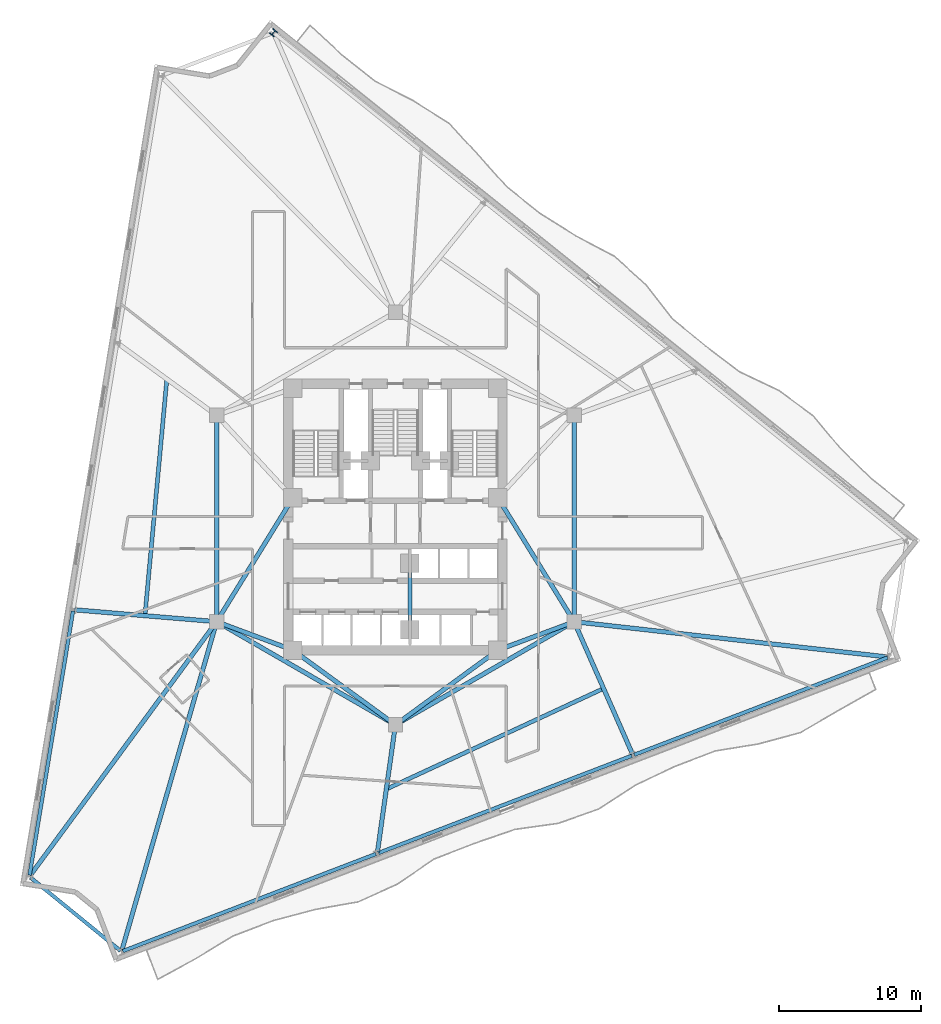
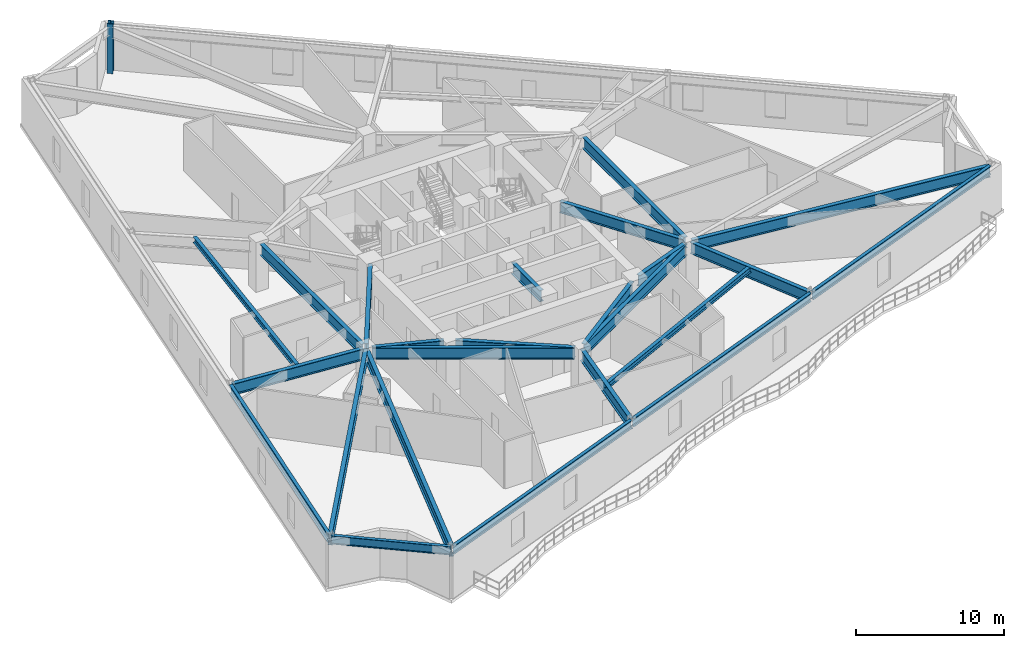
# One storey, part 2 of 10: 24 beams, 1 column.
"""IFC4 building model written with IfcOpenShell, lengths in metres."""

from ifc_helpers import new_model, si_unit, direction, frame, origin, origin_2d, place, context, subcontext, project, spatial, i_section, extrude, material, material_profile, profile_set, type_object, element, save


model = new_model("IFC4")

# Units and contexts
model_context = context("Model", 3, precision=1e-05, world=origin(), true_north=direction((0.0, 1.0)))
body_context = subcontext(model_context, "Body", "Model", "MODEL_VIEW")
ifc_project = project(units=[si_unit("LENGTHUNIT", "METRE"), si_unit("AREAUNIT", "SQUARE_METRE"), si_unit("VOLUMEUNIT", "CUBIC_METRE"), si_unit("PLANEANGLEUNIT", "RADIAN"), si_unit("MASSUNIT", "GRAM", prefix="KILO")], contexts=[model_context])

# Site, building, storey
site_placement = place(None, origin())
site = spatial("IfcSite", under=ifc_project, at=site_placement, CompositionType="ELEMENT")
building_placement = place(site_placement, origin())
building = spatial("IfcBuilding", under=site, at=building_placement, Name="Apsidion Concourse Tower", CompositionType="ELEMENT")
storey_placement = place(building_placement, frame((0.0, 0.0, 136.300048828125)))
storey = spatial("IfcBuildingStorey", under=building, at=storey_placement, Name="L31", CompositionType="ELEMENT", Elevation=136.300048828125)

# Column
ifc_material = material(Name="Structural steel ASTM A992 Grade 50", Category="steel")
ifc_material_profile_1 = material_profile(ifc_material, i_section(OverallWidth=0.410888671875, OverallDepth=0.43408203125, WebThickness=0.035888671875, FlangeThickness=0.057373046875, at=origin_2d()), Name="W14X311")
ifc_profile_set_1 = profile_set([ifc_material_profile_1], Name="Structural steel ASTM A992 Grade 50")
column_type = type_object("IfcColumnType", Name="COL-W14-311", PredefinedType="COLUMN", material=ifc_profile_set_1)
column_placement = place(storey_placement, frame((-8.565185546875, 34.1376953125, 0.0), z_axis=(0.0, 0.0, 1.0), x_axis=(-0.780757676633, 0.624833938242, 0.0)))
element("IfcColumn", 1, at=column_placement, inside=storey, type_object=column_type, Name="L31 Rotated Perimeter Column PC12", PredefinedType="COLUMN", context=body_context, shape_type="SweptSolid", body=[
    extrude(i_section(OverallWidth=0.410888671875, OverallDepth=0.43408203125, WebThickness=0.035888671875, FlangeThickness=0.057373046875, at=origin_2d()), origin(), (0.0, 0.0, 1.0), 4.099853515625),
])

# Beams
ifc_material_profile_2 = material_profile(ifc_material, i_section(OverallWidth=0.280029296875, OverallDepth=0.462890625, WebThickness=0.0107421875, FlangeThickness=0.017333984375, at=origin_2d()), Name="W18X76")
ifc_profile_set_2 = profile_set([ifc_material_profile_2], Name="Structural steel ASTM A992 Grade 50")
beam_type_1 = type_object("IfcBeamType", Name="BM-FL-W18M", PredefinedType="BEAM", material=ifc_profile_set_2)
beam_1_placement = place(storey_placement, frame((-16.05908203125, 9.798095703125, 3.618408203125), z_axis=(-0.092270423312, -0.995733985049, 0.0), x_axis=(0.995733985049, -0.092270423312, 0.0)))
element("IfcBeam", 2, at=beam_1_placement, inside=storey, type_object=beam_type_1, Name="L31 Secondary Floor Beam SEC-F1", PredefinedType="BEAM", context=body_context, shape_type="SweptSolid", body=[
    extrude(i_section(OverallWidth=0.280029296875, OverallDepth=0.462890625, WebThickness=0.0107421875, FlangeThickness=0.017333984375, at=origin_2d()), origin(), (0.0, 0.0, 1.0), 16.698486328125),
])
beam_2_placement = place(storey_placement, frame((-0.6376953125, -19.018310546875, 3.618408203125), z_axis=(0.907312361657, 0.420457225392, 0.0), x_axis=(-0.420457225392, 0.907312361657, 0.0)))
element("IfcBeam", 3, at=beam_2_placement, inside=storey, type_object=beam_type_1, Name="L31 Secondary Floor Beam SEC-F2", PredefinedType="BEAM", context=body_context, shape_type="SweptSolid", body=[
    extrude(i_section(OverallWidth=0.280029296875, OverallDepth=0.462890625, WebThickness=0.0107421875, FlangeThickness=0.017333984375, at=origin_2d()), origin(), (0.0, 0.0, 1.0), 16.82568359375),
])
ifc_material_profile_3 = material_profile(ifc_material, i_section(OverallWidth=0.31005859375, OverallDepth=0.931884765625, WebThickness=0.02099609375, FlangeThickness=0.034423828125, at=origin_2d()), Name="W36X210")
ifc_profile_set_3 = profile_set([ifc_material_profile_3], Name="Structural steel ASTM A992 Grade 50")
beam_type_2 = type_object("IfcBeamType", Name="BM-G-W36", PredefinedType="USERDEFINED", material=ifc_profile_set_3)
beam_3_placement = place(storey_placement, frame((-12.185302734375, -7.389892578125, 3.384033203125), z_axis=(0.936913021145, -0.349562570664, 0.0), x_axis=(0.349562570664, 0.936913021145, 0.0)))
element("IfcBeam", 4, at=beam_3_placement, inside=storey, type_object=beam_type_2, Name="L31 Core Coupling Girder IC1-SC1", ObjectType="GIRDER", PredefinedType="USERDEFINED", context=body_context, shape_type="SweptSolid", body=[
    extrude(i_section(OverallWidth=0.31005859375, OverallDepth=0.931884765625, WebThickness=0.02099609375, FlangeThickness=0.034423828125, at=origin_2d()), origin(), (0.0, 0.0, 1.0), 4.921142578125),
])
beam_4_placement = place(storey_placement, frame((-12.35009765625, -6.909423828125, 3.384033203125), z_axis=(0.524524009763, 0.851395656074, 0.0), x_axis=(-0.851395656074, 0.524524009763, 0.0)))
element("IfcBeam", 5, at=beam_4_placement, inside=storey, type_object=beam_type_2, Name="L31 Core Coupling Girder IC1-SC6", ObjectType="GIRDER", PredefinedType="USERDEFINED", context=body_context, shape_type="SweptSolid", body=[
    extrude(i_section(OverallWidth=0.31005859375, OverallDepth=0.931884765625, WebThickness=0.02099609375, FlangeThickness=0.034423828125, at=origin_2d()), origin(), (0.0, 0.0, 1.0), 9.41845703125),
])
beam_5_placement = place(storey_placement, frame((12.185302734375, -7.389892578125, 3.384033203125), z_axis=(-0.936913021145, -0.349562570664, 0.0), x_axis=(0.349562570664, -0.936913021145, 0.0)))
element("IfcBeam", 6, at=beam_5_placement, inside=storey, type_object=beam_type_2, Name="L31 Core Coupling Girder IC2-SC2", ObjectType="GIRDER", PredefinedType="USERDEFINED", context=body_context, shape_type="SweptSolid", body=[
    extrude(i_section(OverallWidth=0.31005859375, OverallDepth=0.931884765625, WebThickness=0.02099609375, FlangeThickness=0.034423828125, at=origin_2d()), origin(), (0.0, 0.0, 1.0), 4.921142578125),
])
beam_6_placement = place(storey_placement, frame((12.35009765625, -6.909423828125, 3.384033203125), z_axis=(-0.524524009763, 0.851395656074, 0.0), x_axis=(-0.851395656074, -0.524524009763, 0.0)))
element("IfcBeam", 7, at=beam_6_placement, inside=storey, type_object=beam_type_2, Name="L31 Core Coupling Girder IC2-SC3", ObjectType="GIRDER", PredefinedType="USERDEFINED", context=body_context, shape_type="SweptSolid", body=[
    extrude(i_section(OverallWidth=0.31005859375, OverallDepth=0.931884765625, WebThickness=0.02099609375, FlangeThickness=0.034423828125, at=origin_2d()), origin(), (0.0, 0.0, 1.0), 9.41845703125),
])
for number, where, z_axis, x_axis, name in (
    (8, (-0.3232421875, -14.264404296875, 3.384033203125), (-0.807993498909, 0.589191399905, 0.0), (-0.589191399905, -0.807993498909, 0.0), "L31 Core Coupling Girder IC6-SC1"),
    (9, (0.3232421875, -14.264404296875, 3.384033203125), (0.807993498909, 0.589191399905, 0.0), (-0.589191399905, 0.807993498909, 0.0), "L31 Core Coupling Girder IC6-SC2"),
):
    element("IfcBeam", number, at=place(storey_placement, frame(where, z_axis=z_axis, x_axis=x_axis)), inside=storey, type_object=beam_type_2, Name=name, ObjectType="GIRDER", PredefinedType="USERDEFINED", context=body_context, shape_type="SweptSolid", body=[
        extrude(i_section(OverallWidth=0.31005859375, OverallDepth=0.931884765625, WebThickness=0.02099609375, FlangeThickness=0.034423828125, at=origin_2d()), origin(), (0.0, 0.0, 1.0), 8.11083984375),
    ])
for number, where, z_axis, x_axis, name in (
    (10, (-12.56005859375, -6.85009765625, 3.384033203125), (0.0, 1.0, 0.0), (-1.0, 0.0, 0.0), "L31 Core Coupling Girder IC1-IC5"),
    (11, (12.56005859375, 6.85009765625, 3.384033203125), (0.0, -1.0, 0.0), (1.0, 0.0, 0.0), "L31 Core Coupling Girder IC3-IC2"),
):
    element("IfcBeam", number, at=place(storey_placement, frame(where, z_axis=z_axis, x_axis=x_axis)), inside=storey, type_object=beam_type_2, Name=name, ObjectType="GIRDER", PredefinedType="USERDEFINED", context=body_context, shape_type="SweptSolid", body=[
        extrude(i_section(OverallWidth=0.31005859375, OverallDepth=0.931884765625, WebThickness=0.02099609375, FlangeThickness=0.034423828125, at=origin_2d()), origin(), (0.0, 0.0, 1.0), 13.7001953125),
    ])
for number, where, z_axis, x_axis, name in (
    (12, (12.213623046875, -7.449951171875, 3.384033203125), (-0.866070471464, -0.499921932364, 0.0), (0.499921932364, -0.866070471464, 0.0), "L31 Core Coupling Girder IC2-IC6"),
    (13, (-0.346435546875, -14.300048828125, 3.384033203125), (-0.866070471464, 0.499921932364, 0.0), (-0.499921932364, -0.866070471464, 0.0), "L31 Core Coupling Girder IC6-IC1"),
):
    element("IfcBeam", number, at=place(storey_placement, frame(where, z_axis=z_axis, x_axis=x_axis)), inside=storey, type_object=beam_type_2, Name=name, ObjectType="GIRDER", PredefinedType="USERDEFINED", context=body_context, shape_type="SweptSolid", body=[
        extrude(i_section(OverallWidth=0.31005859375, OverallDepth=0.931884765625, WebThickness=0.02099609375, FlangeThickness=0.034423828125, at=origin_2d()), origin(), (0.0, 0.0, 1.0), 13.702392578125),
    ])
beam_7_placement = place(storey_placement, frame((1.02490234375, -3.550048828125, 3.384033203125), z_axis=(0.0, -1.0, 0.0), x_axis=(1.0, 0.0, 0.0)))
element("IfcBeam", 14, at=beam_7_placement, inside=storey, type_object=beam_type_2, Name="L31 Core Coupling Girder CC5-CC6", ObjectType="GIRDER", PredefinedType="USERDEFINED", context=body_context, shape_type="SweptSolid", body=[
    extrude(i_section(OverallWidth=0.31005859375, OverallDepth=0.931884765625, WebThickness=0.02099609375, FlangeThickness=0.034423828125, at=origin_2d()), origin(), (0.0, 0.0, 1.0), 3.849853515625),
])
beam_8_placement = place(storey_placement, frame((-12.779296875, -7.231689453125, 3.384033203125), z_axis=(-0.996528374011, 0.083253827489, 0.0), x_axis=(-0.083253827489, -0.996528374011, 0.0)))
element("IfcBeam", 15, at=beam_8_placement, inside=storey, type_object=beam_type_2, Name="L31 Radial Floor Girder RAD-03", ObjectType="GIRDER", PredefinedType="USERDEFINED", context=body_context, shape_type="SweptSolid", body=[
    extrude(i_section(OverallWidth=0.31005859375, OverallDepth=0.931884765625, WebThickness=0.02099609375, FlangeThickness=0.034423828125, at=origin_2d()), origin(), (0.0, 0.0, 1.0), 9.79443359375),
])
beam_9_placement = place(storey_placement, frame((-12.690185546875, -7.42724609375, 3.384033203125), z_axis=(-0.592104054542, -0.80586151949, 0.0), x_axis=(0.80586151949, -0.592104054542, 0.0)))
element("IfcBeam", 16, at=beam_9_placement, inside=storey, type_object=beam_type_2, Name="L31 Radial Floor Girder RAD-04", ObjectType="GIRDER", PredefinedType="USERDEFINED", context=body_context, shape_type="SweptSolid", body=[
    extrude(i_section(OverallWidth=0.31005859375, OverallDepth=0.931884765625, WebThickness=0.02099609375, FlangeThickness=0.034423828125, at=origin_2d()), origin(), (0.0, 0.0, 1.0), 21.907470703125),
])
beam_10_placement = place(storey_placement, frame((-12.62109375, -7.46142578125, 3.384033203125), z_axis=(-0.277124061606, -0.960834145146, 0.0), x_axis=(0.960834145146, -0.277124061606, 0.0)))
element("IfcBeam", 17, at=beam_10_placement, inside=storey, type_object=beam_type_2, Name="L31 Radial Floor Girder RAD-05", ObjectType="GIRDER", PredefinedType="USERDEFINED", context=body_context, shape_type="SweptSolid", body=[
    extrude(i_section(OverallWidth=0.31005859375, OverallDepth=0.931884765625, WebThickness=0.02099609375, FlangeThickness=0.034423828125, at=origin_2d()), origin(), (0.0, 0.0, 1.0), 23.810302734375),
])
beam_11_placement = place(storey_placement, frame((-0.03076171875, -14.7177734375, 3.384033203125), z_axis=(-0.139728877642, -0.990189800368, 0.0), x_axis=(0.990189800368, -0.139728877642, 0.0)))
element("IfcBeam", 18, at=beam_11_placement, inside=storey, type_object=beam_type_2, Name="L31 Radial Floor Girder RAD-06", ObjectType="GIRDER", PredefinedType="USERDEFINED", context=body_context, shape_type="SweptSolid", body=[
    extrude(i_section(OverallWidth=0.31005859375, OverallDepth=0.931884765625, WebThickness=0.02099609375, FlangeThickness=0.034423828125, at=origin_2d()), origin(), (0.0, 0.0, 1.0), 8.80615234375),
])
beam_12_placement = place(storey_placement, frame((12.648681640625, -7.451416015625, 3.384033203125), z_axis=(0.403246465544, -0.915091409656, 0.0), x_axis=(0.915091409656, 0.403246465544, 0.0)))
element("IfcBeam", 19, at=beam_12_placement, inside=storey, type_object=beam_type_2, Name="L31 Radial Floor Girder RAD-07", ObjectType="GIRDER", PredefinedType="USERDEFINED", context=body_context, shape_type="SweptSolid", body=[
    extrude(i_section(OverallWidth=0.31005859375, OverallDepth=0.931884765625, WebThickness=0.02099609375, FlangeThickness=0.034423828125, at=origin_2d()), origin(), (0.0, 0.0, 1.0), 9.93896484375),
])
beam_13_placement = place(storey_placement, frame((12.778564453125, -7.274658203125, 3.384033203125), z_axis=(0.993722887176, -0.111869671955, 0.0), x_axis=(0.111869671955, 0.993722887176, 0.0)))
element("IfcBeam", 20, at=beam_13_placement, inside=storey, type_object=beam_type_2, Name="L31 Radial Floor Girder RAD-08", ObjectType="GIRDER", PredefinedType="USERDEFINED", context=body_context, shape_type="SweptSolid", body=[
    extrude(i_section(OverallWidth=0.31005859375, OverallDepth=0.931884765625, WebThickness=0.02099609375, FlangeThickness=0.034423828125, at=origin_2d()), origin(), (0.0, 0.0, 1.0), 21.928466796875),
])
ifc_material_profile_4 = material_profile(ifc_material, i_section(OverallWidth=0.256103515625, OverallDepth=0.693115234375, WebThickness=0.014404296875, FlangeThickness=0.023681640625, at=origin_2d()), Name="W27X114")
ifc_profile_set_4 = profile_set([ifc_material_profile_4], Name="Structural steel ASTM A992 Grade 50")
beam_type_3 = type_object("IfcBeamType", Name="BM-SP-W27", PredefinedType="SPANDREL", material=ifc_profile_set_4)
beam_14_placement = place(storey_placement, frame((-22.65576171875, -6.506591796875, 3.50341796875), z_axis=(-0.162122790078, -0.986770591849, 0.0), x_axis=(0.986770591849, -0.162122790078, 0.0)))
element("IfcBeam", 21, at=beam_14_placement, inside=storey, type_object=beam_type_3, Name="L31 Perimeter Spandrel Girder SP-03", PredefinedType="SPANDREL", context=body_context, shape_type="SweptSolid", body=[
    extrude(i_section(OverallWidth=0.256103515625, OverallDepth=0.693115234375, WebThickness=0.014404296875, FlangeThickness=0.023681640625, at=origin_2d()), origin(), (0.0, 0.0, 1.0), 18.8056640625),
])
beam_15_placement = place(storey_placement, frame((-25.643310546875, -25.225341796875, 3.50341796875), z_axis=(0.775340926365, -0.631542910579, 0.0), x_axis=(0.631542910579, 0.775340926365, 0.0)))
element("IfcBeam", 22, at=beam_15_placement, inside=storey, type_object=beam_type_3, Name="L31 Perimeter Spandrel Girder SP-04", PredefinedType="SPANDREL", context=body_context, shape_type="SweptSolid", body=[
    extrude(i_section(OverallWidth=0.256103515625, OverallDepth=0.693115234375, WebThickness=0.014404296875, FlangeThickness=0.023681640625, at=origin_2d()), origin(), (0.0, 0.0, 1.0), 8.1494140625),
])
for number, where, z_axis, x_axis, name in (
    (23, (-19.15380859375, -30.3994140625, 3.50341796875), (0.933579256938, 0.358370996335, 0.0), (-0.358370996335, 0.933579256938, 0.0), "L31 Perimeter Spandrel Girder SP-05"),
    (24, (-1.181884765625, -23.500732421875, 3.50341796875), (0.933579256938, 0.358370996335, 0.0), (-0.358370996335, 0.933579256938, 0.0), "L31 Perimeter Spandrel Girder SP-06"),
    (25, (16.7900390625, -16.60205078125, 3.50341796875), (0.933579256938, 0.358370996335, 0.0), (-0.358370996335, 0.933579256938, 0.0), "L31 Perimeter Spandrel Girder SP-07"),
):
    element("IfcBeam", number, at=place(storey_placement, frame(where, z_axis=z_axis, x_axis=x_axis)), inside=storey, type_object=beam_type_3, Name=name, PredefinedType="SPANDREL", context=body_context, shape_type="SweptSolid", body=[
        extrude(i_section(OverallWidth=0.256103515625, OverallDepth=0.693115234375, WebThickness=0.014404296875, FlangeThickness=0.023681640625, at=origin_2d()), origin(), (0.0, 0.0, 1.0), 19.050537109375),
    ])

save(model, "model.ifc")
